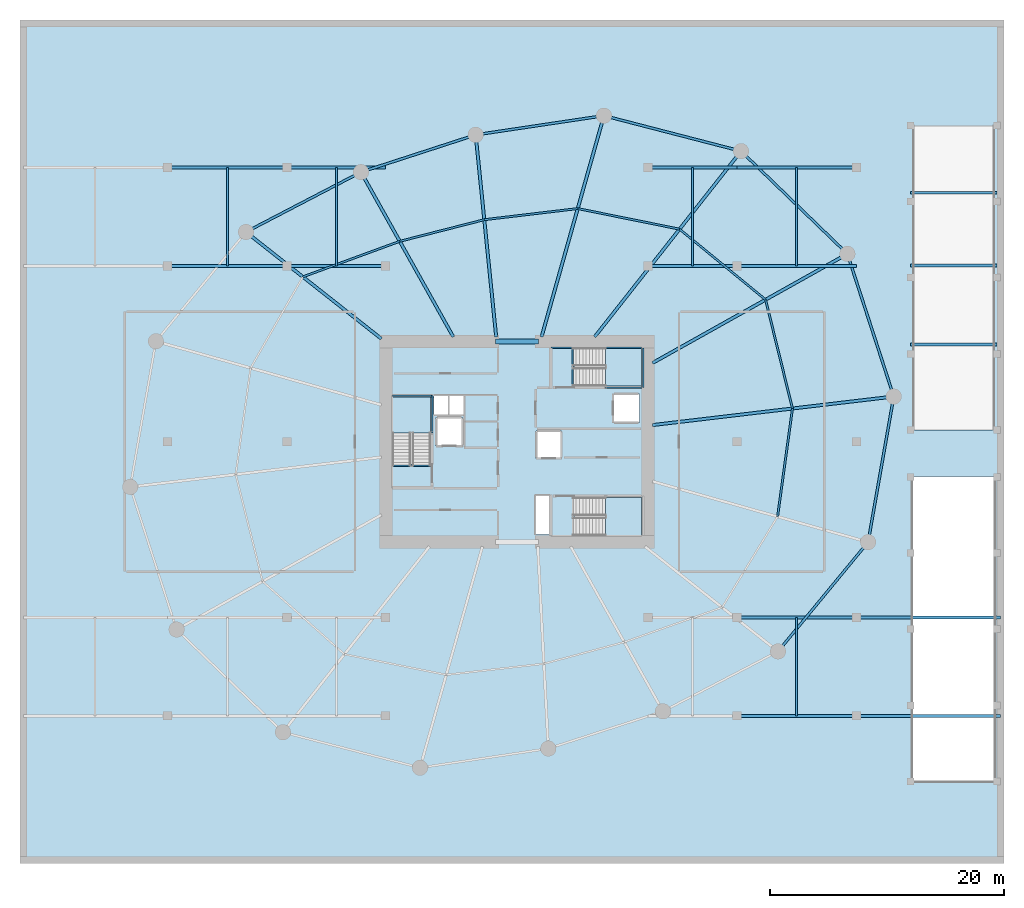
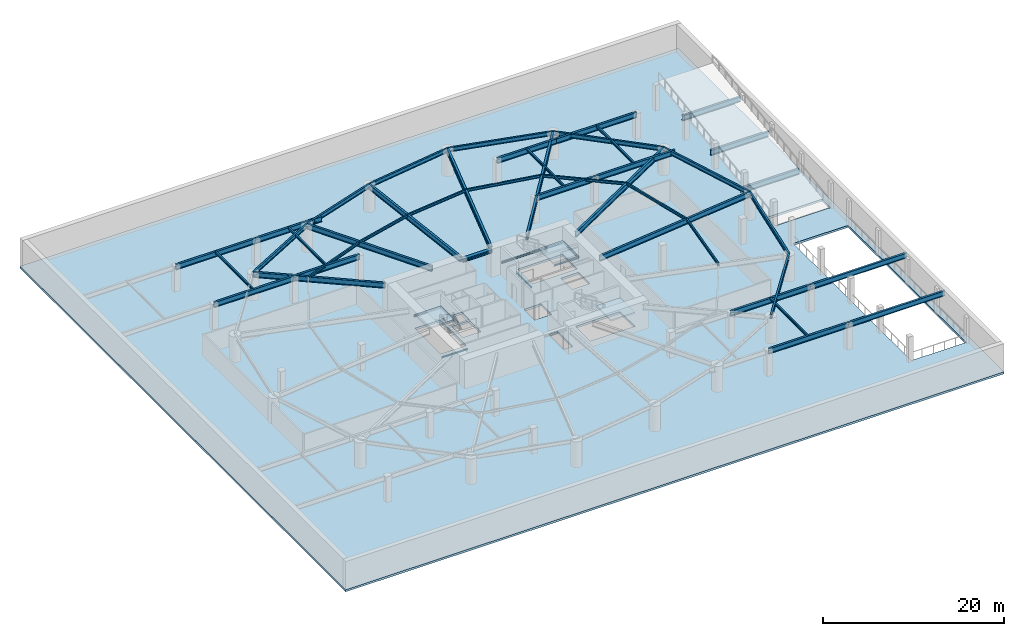
# One storey, part 6 of 13: 50 beams, 4 slabs, 3 elements without a shape of their own.
"""IFC4 building model written with IfcOpenShell, lengths in metres."""

from ifc_helpers import new_model, si_unit, direction, frame, origin, origin_2d, place, context, subcontext, project, spatial, polyline, i_section, outline, extrude, material, layer, layer_set, material_profile, profile_set, type_object, element, aggregate, save


model = new_model("IFC4")

# Units and contexts
model_context = context("Model", 3, precision=1e-05, world=origin(), true_north=direction((0.0, 1.0)))
body_context = subcontext(model_context, "Body", "Model", "MODEL_VIEW")
ifc_project = project(units=[si_unit("LENGTHUNIT", "METRE"), si_unit("AREAUNIT", "SQUARE_METRE"), si_unit("VOLUMEUNIT", "CUBIC_METRE"), si_unit("PLANEANGLEUNIT", "RADIAN"), si_unit("MASSUNIT", "GRAM", prefix="KILO")], contexts=[model_context])

# Site, building, storey
site_placement = place(None, origin())
site = spatial("IfcSite", under=ifc_project, at=site_placement, CompositionType="ELEMENT")
building_placement = place(site_placement, origin())
building = spatial("IfcBuilding", under=site, at=building_placement, Name="Kazma Halo Residences", CompositionType="ELEMENT")
storey_placement = place(building_placement, frame((0.0, 0.0, -3.800048828125)))
storey = spatial("IfcBuildingStorey", under=building, at=storey_placement, Name="B01", CompositionType="ELEMENT", Elevation=-3.800048828125)

# Beams
ifc_material_1 = material(Name="Steel S355", Category="steel")
ifc_material_profile_1 = material_profile(ifc_material_1, i_section(OverallWidth=0.25390625, OverallDepth=0.68408203125, WebThickness=0.012451171875, FlangeThickness=0.01904296875, FilletRadius=0.01806640625, at=origin_2d()), Name="W690x140")
ifc_profile_set_1 = profile_set([ifc_material_profile_1], Name="Steel S355")
beam_type_1 = type_object("IfcBeamType", Name="BM-BSMT-W690", PredefinedType="BEAM", material=ifc_profile_set_1)
beam_1_placement = place(storey_placement, frame((67.199951171875, 18.60009765625, 3.137939453125), z_axis=(1.0, 0.0, 0.0), x_axis=(0.0, 1.0, 0.0)))
element("IfcBeam", 1, at=beam_1_placement, inside=storey, type_object=beam_type_1, Name="B01 primary girder Y=18.6 bay 5", PredefinedType="BEAM", context=body_context, shape_type="SweptSolid", body=[
    extrude(i_section(OverallWidth=0.25390625, OverallDepth=0.68408203125, WebThickness=0.012451171875, FlangeThickness=0.01904296875, FilletRadius=0.01806640625, at=origin_2d()), origin(), (0.0, 0.0, 1.0), 10.199951171875),
])
beam_2_placement = place(storey_placement, frame((77.39990234375, 18.60009765625, 3.137939453125), z_axis=(1.0, 0.0, 0.0), x_axis=(0.0, 1.0, 0.0)))
element("IfcBeam", 2, at=beam_2_placement, inside=storey, type_object=beam_type_1, Name="B01 primary girder Y=18.6 bay 6", PredefinedType="BEAM", context=body_context, shape_type="SweptSolid", body=[
    extrude(i_section(OverallWidth=0.25390625, OverallDepth=0.68408203125, WebThickness=0.012451171875, FlangeThickness=0.01904296875, FilletRadius=0.01806640625, at=origin_2d()), origin(), (0.0, 0.0, 1.0), 12.300048828125),
])
beam_3_placement = place(storey_placement, frame((67.199951171875, 27.0, 3.137939453125), z_axis=(1.0, 0.0, 0.0), x_axis=(0.0, 1.0, 0.0)))
element("IfcBeam", 3, at=beam_3_placement, inside=storey, type_object=beam_type_1, Name="B01 primary girder Y=27.0 bay 5", PredefinedType="BEAM", context=body_context, shape_type="SweptSolid", body=[
    extrude(i_section(OverallWidth=0.25390625, OverallDepth=0.68408203125, WebThickness=0.012451171875, FlangeThickness=0.01904296875, FilletRadius=0.01806640625, at=origin_2d()), origin(), (0.0, 0.0, 1.0), 10.199951171875),
])
beam_4_placement = place(storey_placement, frame((77.39990234375, 27.0, 3.137939453125), z_axis=(1.0, 0.0, 0.0), x_axis=(0.0, 1.0, 0.0)))
element("IfcBeam", 4, at=beam_4_placement, inside=storey, type_object=beam_type_1, Name="B01 primary girder Y=27.0 bay 6", PredefinedType="BEAM", context=body_context, shape_type="SweptSolid", body=[
    extrude(i_section(OverallWidth=0.25390625, OverallDepth=0.68408203125, WebThickness=0.012451171875, FlangeThickness=0.01904296875, FilletRadius=0.01806640625, at=origin_2d()), origin(), (0.0, 0.0, 1.0), 12.300048828125),
])
beam_5_placement = place(storey_placement, frame((18.60009765625, 57.0, 3.137939453125), z_axis=(1.0, 0.0, 0.0), x_axis=(0.0, 1.0, 0.0)))
element("IfcBeam", 5, at=beam_5_placement, inside=storey, type_object=beam_type_1, Name="B01 primary girder Y=57.0 bay 2", PredefinedType="BEAM", context=body_context, shape_type="SweptSolid", body=[
    extrude(i_section(OverallWidth=0.25390625, OverallDepth=0.68408203125, WebThickness=0.012451171875, FlangeThickness=0.01904296875, FilletRadius=0.01806640625, at=origin_2d()), origin(), (0.0, 0.0, 1.0), 10.199951171875),
])
beam_6_placement = place(storey_placement, frame((28.800048828125, 57.0, 3.137939453125), z_axis=(1.0, 0.0, 0.0), x_axis=(0.0, 1.0, 0.0)))
element("IfcBeam", 6, at=beam_6_placement, inside=storey, type_object=beam_type_1, Name="B01 primary girder Y=57.0 bay 3", PredefinedType="BEAM", context=body_context, shape_type="SweptSolid", body=[
    extrude(i_section(OverallWidth=0.25390625, OverallDepth=0.68408203125, WebThickness=0.012451171875, FlangeThickness=0.01904296875, FilletRadius=0.01806640625, at=origin_2d()), origin(), (0.0, 0.0, 1.0), 8.39990234375),
])
beam_7_placement = place(storey_placement, frame((59.60009765625, 57.0, 3.137939453125), z_axis=(1.0, 0.0, 0.0), x_axis=(0.0, 1.0, 0.0)))
element("IfcBeam", 7, at=beam_7_placement, inside=storey, type_object=beam_type_1, Name="B01 primary girder Y=57.0 bay 4", PredefinedType="BEAM", context=body_context, shape_type="SweptSolid", body=[
    extrude(i_section(OverallWidth=0.25390625, OverallDepth=0.68408203125, WebThickness=0.012451171875, FlangeThickness=0.01904296875, FilletRadius=0.01806640625, at=origin_2d()), origin(), (0.0, 0.0, 1.0), 7.599853515625),
])
for number, where, z_axis, x_axis, name in (
    (8, (67.199951171875, 57.0, 3.137939453125), (1.0, 0.0, 0.0), (0.0, 1.0, 0.0), "B01 primary girder Y=57.0 bay 5"),
    (9, (18.60009765625, 65.39990234375, 3.137939453125), (1.0, 0.0, 0.0), (0.0, 1.0, 0.0), "B01 primary girder Y=65.4 bay 2"),
):
    element("IfcBeam", number, at=place(storey_placement, frame(where, z_axis=z_axis, x_axis=x_axis)), inside=storey, type_object=beam_type_1, Name=name, PredefinedType="BEAM", context=body_context, shape_type="SweptSolid", body=[
        extrude(i_section(OverallWidth=0.25390625, OverallDepth=0.68408203125, WebThickness=0.012451171875, FlangeThickness=0.01904296875, FilletRadius=0.01806640625, at=origin_2d()), origin(), (0.0, 0.0, 1.0), 10.199951171875),
    ])
beam_8_placement = place(storey_placement, frame((28.800048828125, 65.39990234375, 3.137939453125), z_axis=(1.0, 0.0, 0.0), x_axis=(0.0, 1.0, 0.0)))
element("IfcBeam", 10, at=beam_8_placement, inside=storey, type_object=beam_type_1, Name="B01 primary girder Y=65.4 bay 3", PredefinedType="BEAM", context=body_context, shape_type="SweptSolid", body=[
    extrude(i_section(OverallWidth=0.25390625, OverallDepth=0.68408203125, WebThickness=0.012451171875, FlangeThickness=0.01904296875, FilletRadius=0.01806640625, at=origin_2d()), origin(), (0.0, 0.0, 1.0), 8.39990234375),
])
beam_9_placement = place(storey_placement, frame((59.60009765625, 65.39990234375, 3.137939453125), z_axis=(1.0, 0.0, 0.0), x_axis=(0.0, 1.0, 0.0)))
element("IfcBeam", 11, at=beam_9_placement, inside=storey, type_object=beam_type_1, Name="B01 primary girder Y=65.4 bay 4", PredefinedType="BEAM", context=body_context, shape_type="SweptSolid", body=[
    extrude(i_section(OverallWidth=0.25390625, OverallDepth=0.68408203125, WebThickness=0.012451171875, FlangeThickness=0.01904296875, FilletRadius=0.01806640625, at=origin_2d()), origin(), (0.0, 0.0, 1.0), 7.599853515625),
])
beam_10_placement = place(storey_placement, frame((67.199951171875, 65.39990234375, 3.137939453125), z_axis=(1.0, 0.0, 0.0), x_axis=(0.0, 1.0, 0.0)))
element("IfcBeam", 12, at=beam_10_placement, inside=storey, type_object=beam_type_1, Name="B01 primary girder Y=65.4 bay 5", PredefinedType="BEAM", context=body_context, shape_type="SweptSolid", body=[
    extrude(i_section(OverallWidth=0.25390625, OverallDepth=0.68408203125, WebThickness=0.012451171875, FlangeThickness=0.01904296875, FilletRadius=0.01806640625, at=origin_2d()), origin(), (0.0, 0.0, 1.0), 10.199951171875),
])
for number, where, z_axis, x_axis, name in (
    (13, (82.0, 50.302001953125, 0.43896484375), (1.0, 0.0, 0.0), (0.0, 1.0, 0.0), "B01 vehicle ramp cross beam 1"),
    (14, (82.0, 57.035888671875, 1.427001953125), (1.0, 0.0, 0.0), (0.0, 1.0, 0.0), "B01 vehicle ramp cross beam 2"),
    (15, (82.0, 63.251953125, 2.339111328125), (1.0, 0.0, 0.0), (0.0, 1.0, 0.0), "B01 vehicle ramp cross beam 3"),
):
    element("IfcBeam", number, at=place(storey_placement, frame(where, z_axis=z_axis, x_axis=x_axis)), inside=storey, type_object=beam_type_1, Name=name, PredefinedType="BEAM", context=body_context, shape_type="SweptSolid", body=[
        extrude(i_section(OverallWidth=0.25390625, OverallDepth=0.68408203125, WebThickness=0.012451171875, FlangeThickness=0.01904296875, FilletRadius=0.01806640625, at=origin_2d()), origin(), (0.0, 0.0, 1.0), 7.39990234375),
    ])
beam_11_placement = place(storey_placement, frame((60.0, 48.72021484375, 3.137939453125), z_axis=(0.872493349369, 0.488625987139, 0.0), x_axis=(-0.488625987139, 0.872493349369, 0.0)))
element("IfcBeam", 16, at=beam_11_placement, inside=storey, type_object=beam_type_1, Name="B01 radial floor beam 01", PredefinedType="BEAM", context=body_context, shape_type="SweptSolid", body=[
    extrude(i_section(OverallWidth=0.25390625, OverallDepth=0.68408203125, WebThickness=0.012451171875, FlangeThickness=0.01904296875, FilletRadius=0.01806640625, at=origin_2d()), origin(), (0.0, 0.0, 1.0), 19.0634765625),
])
beam_12_placement = place(storey_placement, frame((55.0556640625, 50.949951171875, 3.137939453125), z_axis=(0.619089277374, 0.785320613915, 0.0), x_axis=(-0.785320613915, 0.619089277374, 0.0)))
element("IfcBeam", 17, at=beam_12_placement, inside=storey, type_object=beam_type_1, Name="B01 radial floor beam 02", PredefinedType="BEAM", context=body_context, shape_type="SweptSolid", body=[
    extrude(i_section(OverallWidth=0.25390625, OverallDepth=0.68408203125, WebThickness=0.012451171875, FlangeThickness=0.01904296875, FilletRadius=0.01806640625, at=origin_2d()), origin(), (0.0, 0.0, 1.0), 20.18701171875),
])
beam_13_placement = place(storey_placement, frame((50.524169921875, 50.949951171875, 3.137939453125), z_axis=(0.271433858007, 0.962457095526, 0.0), x_axis=(-0.962457095526, 0.271433858007, 0.0)))
element("IfcBeam", 18, at=beam_13_placement, inside=storey, type_object=beam_type_1, Name="B01 radial floor beam 03", PredefinedType="BEAM", context=body_context, shape_type="SweptSolid", body=[
    extrude(i_section(OverallWidth=0.25390625, OverallDepth=0.68408203125, WebThickness=0.012451171875, FlangeThickness=0.01904296875, FilletRadius=0.01806640625, at=origin_2d()), origin(), (0.0, 0.0, 1.0), 19.617919921875),
])
beam_14_placement = place(storey_placement, frame((46.64990234375, 50.949951171875, 3.137939453125), z_axis=(-0.100981723867, 0.994888280886, 0.0), x_axis=(-0.994888280886, -0.100981723867, 0.0)))
element("IfcBeam", 19, at=beam_14_placement, inside=storey, type_object=beam_type_1, Name="B01 radial floor beam 04", PredefinedType="BEAM", context=body_context, shape_type="SweptSolid", body=[
    extrude(i_section(OverallWidth=0.25390625, OverallDepth=0.68408203125, WebThickness=0.012451171875, FlangeThickness=0.01904296875, FilletRadius=0.01806640625, at=origin_2d()), origin(), (0.0, 0.0, 1.0), 17.334716796875),
])
beam_15_placement = place(storey_placement, frame((42.98779296875, 50.949951171875, 3.137939453125), z_axis=(-0.488623198121, 0.872494911308, 0.0), x_axis=(-0.872494911308, -0.488623198121, 0.0)))
element("IfcBeam", 20, at=beam_15_placement, inside=storey, type_object=beam_type_1, Name="B01 radial floor beam 05", PredefinedType="BEAM", context=body_context, shape_type="SweptSolid", body=[
    extrude(i_section(OverallWidth=0.25390625, OverallDepth=0.68408203125, WebThickness=0.012451171875, FlangeThickness=0.01904296875, FilletRadius=0.01806640625, at=origin_2d()), origin(), (0.0, 0.0, 1.0), 16.12109375),
])
beam_16_placement = place(storey_placement, frame((36.85009765625, 50.7900390625, 3.137939453125), z_axis=(-0.785321582594, 0.619088048594, 0.0), x_axis=(-0.619088048594, -0.785321582594, 0.0)))
element("IfcBeam", 21, at=beam_16_placement, inside=storey, type_object=beam_type_1, Name="B01 radial floor beam 06", PredefinedType="BEAM", context=body_context, shape_type="SweptSolid", body=[
    extrude(i_section(OverallWidth=0.25390625, OverallDepth=0.68408203125, WebThickness=0.012451171875, FlangeThickness=0.01904296875, FilletRadius=0.01806640625, at=origin_2d()), origin(), (0.0, 0.0, 1.0), 14.718994140625),
])
beam_17_placement = place(storey_placement, frame((60.0, 43.42041015625, 3.137939453125), z_axis=(0.993069425949, 0.117529210178, 0.0), x_axis=(-0.117529210178, 0.993069425949, 0.0)))
element("IfcBeam", 22, at=beam_17_placement, inside=storey, type_object=beam_type_1, Name="B01 radial floor beam 16", PredefinedType="BEAM", context=body_context, shape_type="SweptSolid", body=[
    extrude(i_section(OverallWidth=0.25390625, OverallDepth=0.68408203125, WebThickness=0.012451171875, FlangeThickness=0.01904296875, FilletRadius=0.01806640625, at=origin_2d()), origin(), (0.0, 0.0, 1.0), 20.7333984375),
])
ifc_material_profile_2 = material_profile(ifc_material_1, i_section(OverallWidth=0.408935546875, OverallDepth=0.425048828125, WebThickness=0.03271484375, FlangeThickness=0.052490234375, FilletRadius=0.02001953125, at=origin_2d()), Name="W360x421")
ifc_profile_set_2 = profile_set([ifc_material_profile_2], Name="Steel S355")
beam_type_2 = type_object("IfcBeamType", Name="BM-CORE-W360H", PredefinedType="BEAM", material=ifc_profile_set_2)
beam_18_placement = place(storey_placement, frame((46.60009765625, 50.550048828125, 3.267578125), z_axis=(1.0, 0.0, 0.0), x_axis=(0.0, 1.0, 0.0)))
element("IfcBeam", 23, at=beam_18_placement, inside=storey, type_object=beam_type_2, Name="B01 core coupling beam N", PredefinedType="BEAM", context=body_context, shape_type="SweptSolid", body=[
    extrude(i_section(OverallWidth=0.408935546875, OverallDepth=0.425048828125, WebThickness=0.03271484375, FlangeThickness=0.052490234375, FilletRadius=0.02001953125, at=origin_2d()), origin(), (0.0, 0.0, 1.0), 3.64990234375),
])
ifc_material_profile_3 = material_profile(ifc_material_1, i_section(OverallWidth=0.1650390625, OverallDepth=0.31005859375, WebThickness=0.005859375, FlangeThickness=0.009765625, FilletRadius=0.011962890625, at=origin_2d()), Name="W310x38.7")
ifc_profile_set_3 = profile_set([ifc_material_profile_3], Name="Steel S355")
beam_type_3 = type_object("IfcBeamType", Name="BM-SEC-W310B", PredefinedType="JOIST", material=ifc_profile_set_3)
for number, where, z_axis, x_axis, name in (
    (24, (23.699951171875, 57.0, 3.324951171875), (0.0, 1.0, 0.0), (-1.0, 0.0, 0.0), "B01 north secondary joist 2"),
    (25, (33.0, 57.0, 3.324951171875), (0.0, 1.0, 0.0), (-1.0, 0.0, 0.0), "B01 north secondary joist 3"),
    (26, (63.39990234375, 57.0, 3.324951171875), (0.0, 1.0, 0.0), (-1.0, 0.0, 0.0), "B01 north secondary joist 4"),
    (27, (72.300048828125, 18.60009765625, 3.324951171875), (0.0, 1.0, 0.0), (-1.0, 0.0, 0.0), "B01 south secondary joist 5"),
    (28, (72.300048828125, 57.0, 3.324951171875), (0.0, 1.0, 0.0), (-1.0, 0.0, 0.0), "B01 north secondary joist 5"),
):
    element("IfcBeam", number, at=place(storey_placement, frame(where, z_axis=z_axis, x_axis=x_axis)), inside=storey, type_object=beam_type_3, Name=name, PredefinedType="JOIST", context=body_context, shape_type="SweptSolid", body=[
        extrude(i_section(OverallWidth=0.1650390625, OverallDepth=0.31005859375, WebThickness=0.005859375, FlangeThickness=0.009765625, FilletRadius=0.011962890625, at=origin_2d()), origin(), (0.0, 0.0, 1.0), 8.39990234375),
    ])
beam_19_placement = place(storey_placement, frame((69.64697265625, 54.122802734375, 3.324951171875), z_axis=(-0.773208794724, 0.634151527446, 0.0), x_axis=(-0.634151527446, -0.773208794724, 0.0)))
element("IfcBeam", 29, at=beam_19_placement, inside=storey, type_object=beam_type_3, Name="B01 circumferential floor joist 01", PredefinedType="JOIST", context=body_context, shape_type="SweptSolid", body=[
    extrude(i_section(OverallWidth=0.1650390625, OverallDepth=0.31005859375, WebThickness=0.005859375, FlangeThickness=0.009765625, FilletRadius=0.011962890625, at=origin_2d()), origin(), (0.0, 0.0, 1.0), 9.49658203125),
])
beam_20_placement = place(storey_placement, frame((62.30419921875, 60.14501953125, 3.324951171875), z_axis=(-0.980192243317, 0.198048393432, 0.0), x_axis=(-0.198048393432, -0.980192243317, 0.0)))
element("IfcBeam", 30, at=beam_20_placement, inside=storey, type_object=beam_type_3, Name="B01 circumferential floor joist 02", PredefinedType="JOIST", context=body_context, shape_type="SweptSolid", body=[
    extrude(i_section(OverallWidth=0.1650390625, OverallDepth=0.31005859375, WebThickness=0.005859375, FlangeThickness=0.009765625, FilletRadius=0.011962890625, at=origin_2d()), origin(), (0.0, 0.0, 1.0), 8.866943359375),
])
beam_21_placement = place(storey_placement, frame((53.61279296875, 61.901123046875, 3.324951171875), z_axis=(-0.993006946192, -0.118055939346, 0.0), x_axis=(0.118055939346, -0.993006946192, 0.0)))
element("IfcBeam", 31, at=beam_21_placement, inside=storey, type_object=beam_type_3, Name="B01 circumferential floor joist 03", PredefinedType="JOIST", context=body_context, shape_type="SweptSolid", body=[
    extrude(i_section(OverallWidth=0.1650390625, OverallDepth=0.31005859375, WebThickness=0.005859375, FlangeThickness=0.009765625, FilletRadius=0.011962890625, at=origin_2d()), origin(), (0.0, 0.0, 1.0), 8.0341796875),
])
beam_22_placement = place(storey_placement, frame((45.634765625, 60.95263671875, 3.324951171875), z_axis=(-0.968838753185, -0.247692289598, 0.0), x_axis=(0.247692289598, -0.968838753185, 0.0)))
element("IfcBeam", 32, at=beam_22_placement, inside=storey, type_object=beam_type_3, Name="B01 circumferential floor joist 04", PredefinedType="JOIST", context=body_context, shape_type="SweptSolid", body=[
    extrude(i_section(OverallWidth=0.1650390625, OverallDepth=0.31005859375, WebThickness=0.005859375, FlangeThickness=0.009765625, FilletRadius=0.011962890625, at=origin_2d()), origin(), (0.0, 0.0, 1.0), 7.44775390625),
])
beam_23_placement = place(storey_placement, frame((38.419189453125, 59.10791015625, 3.324951171875), z_axis=(-0.938908549767, -0.344166725838, 0.0), x_axis=(0.344166725838, -0.938908549767, 0.0)))
element("IfcBeam", 33, at=beam_23_placement, inside=storey, type_object=beam_type_3, Name="B01 circumferential floor joist 05", PredefinedType="JOIST", context=body_context, shape_type="SweptSolid", body=[
    extrude(i_section(OverallWidth=0.1650390625, OverallDepth=0.31005859375, WebThickness=0.005859375, FlangeThickness=0.009765625, FilletRadius=0.011962890625, at=origin_2d()), origin(), (0.0, 0.0, 1.0), 8.811767578125),
])
beam_24_placement = place(storey_placement, frame((70.670654296875, 35.606201171875, 3.324951171875), z_axis=(0.136476861279, 0.990643258865, 0.0), x_axis=(-0.990643258865, 0.136476861279, 0.0)))
element("IfcBeam", 34, at=beam_24_placement, inside=storey, type_object=beam_type_3, Name="B01 circumferential floor joist 15", PredefinedType="JOIST", context=body_context, shape_type="SweptSolid", body=[
    extrude(i_section(OverallWidth=0.1650390625, OverallDepth=0.31005859375, WebThickness=0.005859375, FlangeThickness=0.009765625, FilletRadius=0.011962890625, at=origin_2d()), origin(), (0.0, 0.0, 1.0), 9.314697265625),
])
beam_25_placement = place(storey_placement, frame((71.94189453125, 44.833740234375, 3.324951171875), z_axis=(-0.239845066169, 0.970811178466, 0.0), x_axis=(-0.970811178466, -0.239845066169, 0.0)))
element("IfcBeam", 35, at=beam_25_placement, inside=storey, type_object=beam_type_3, Name="B01 circumferential floor joist 16", PredefinedType="JOIST", context=body_context, shape_type="SweptSolid", body=[
    extrude(i_section(OverallWidth=0.1650390625, OverallDepth=0.31005859375, WebThickness=0.005859375, FlangeThickness=0.009765625, FilletRadius=0.011962890625, at=origin_2d()), origin(), (0.0, 0.0, 1.0), 9.568359375),
])
ifc_material_profile_4 = material_profile(ifc_material_1, i_section(OverallWidth=0.208984375, OverallDepth=0.532958984375, WebThickness=0.01025390625, FlangeThickness=0.015625, FilletRadius=0.01611328125, at=origin_2d()), Name="W530x92")
ifc_profile_set_4 = profile_set([ifc_material_profile_4], Name="Steel S355")
beam_type_4 = type_object("IfcBeamType", Name="BM-SPN-W530", PredefinedType="BEAM", material=ifc_profile_set_4)
beam_26_placement = place(storey_placement, frame((76.6328125, 58.03515625, 3.213623046875), z_axis=(-0.719339467226, 0.694658715407, 0.0), x_axis=(-0.694658715407, -0.719339467226, 0.0)))
element("IfcBeam", 36, at=beam_26_placement, inside=storey, type_object=beam_type_4, Name="B01 perimeter ring beam 01", PredefinedType="BEAM", context=body_context, shape_type="SweptSolid", body=[
    extrude(i_section(OverallWidth=0.208984375, OverallDepth=0.532958984375, WebThickness=0.01025390625, FlangeThickness=0.015625, FilletRadius=0.01611328125, at=origin_2d()), origin(), (0.0, 0.0, 1.0), 12.6220703125),
])
beam_27_placement = place(storey_placement, frame((67.55322265625, 66.80322265625, 3.213623046875), z_axis=(-0.968123781445, 0.250472241578, 0.0), x_axis=(-0.250472241578, -0.968123781445, 0.0)))
element("IfcBeam", 37, at=beam_27_placement, inside=storey, type_object=beam_type_4, Name="B01 perimeter ring beam 02", PredefinedType="BEAM", context=body_context, shape_type="SweptSolid", body=[
    extrude(i_section(OverallWidth=0.208984375, OverallDepth=0.532958984375, WebThickness=0.01025390625, FlangeThickness=0.015625, FilletRadius=0.01611328125, at=origin_2d()), origin(), (0.0, 0.0, 1.0), 12.08935546875),
])
beam_28_placement = place(storey_placement, frame((55.84912109375, 69.831298828125, 3.213623046875), z_axis=(-0.989031581018, -0.14770420356, 0.0), x_axis=(0.14770420356, -0.989031581018, 0.0)))
element("IfcBeam", 38, at=beam_28_placement, inside=storey, type_object=beam_type_4, Name="B01 perimeter ring beam 03", PredefinedType="BEAM", context=body_context, shape_type="SweptSolid", body=[
    extrude(i_section(OverallWidth=0.208984375, OverallDepth=0.532958984375, WebThickness=0.01025390625, FlangeThickness=0.015625, FilletRadius=0.01611328125, at=origin_2d()), origin(), (0.0, 0.0, 1.0), 11.071044921875),
])
beam_29_placement = place(storey_placement, frame((44.8994140625, 68.196044921875, 3.213623046875), z_axis=(-0.951061083857, -0.309002936511, 0.0), x_axis=(0.309002936511, -0.951061083857, 0.0)))
element("IfcBeam", 39, at=beam_29_placement, inside=storey, type_object=beam_type_4, Name="B01 perimeter ring beam 04", PredefinedType="BEAM", context=body_context, shape_type="SweptSolid", body=[
    extrude(i_section(OverallWidth=0.208984375, OverallDepth=0.532958984375, WebThickness=0.01025390625, FlangeThickness=0.015625, FilletRadius=0.01611328125, at=origin_2d()), origin(), (0.0, 0.0, 1.0), 10.29248046875),
])
beam_30_placement = place(storey_placement, frame((35.110595703125, 65.015625, 3.213623046875), z_axis=(-0.886954171981, -0.461857442082, 0.0), x_axis=(0.461857442082, -0.886954171981, 0.0)))
element("IfcBeam", 40, at=beam_30_placement, inside=storey, type_object=beam_type_4, Name="B01 perimeter ring beam 05", PredefinedType="BEAM", context=body_context, shape_type="SweptSolid", body=[
    extrude(i_section(OverallWidth=0.208984375, OverallDepth=0.532958984375, WebThickness=0.01025390625, FlangeThickness=0.015625, FilletRadius=0.01611328125, at=origin_2d()), origin(), (0.0, 0.0, 1.0), 11.071044921875),
])
beam_31_placement = place(storey_placement, frame((70.708984375, 24.09765625, 3.213623046875), z_axis=(0.635989643733, 0.771697591718, 0.0), x_axis=(-0.771697591718, 0.635989643733, 0.0)))
element("IfcBeam", 41, at=beam_31_placement, inside=storey, type_object=beam_type_4, Name="B01 perimeter ring beam 14", PredefinedType="BEAM", context=body_context, shape_type="SweptSolid", body=[
    extrude(i_section(OverallWidth=0.208984375, OverallDepth=0.532958984375, WebThickness=0.01025390625, FlangeThickness=0.015625, FilletRadius=0.01611328125, at=origin_2d()), origin(), (0.0, 0.0, 1.0), 12.08935546875),
])
beam_32_placement = place(storey_placement, frame((78.397705078125, 33.427001953125, 3.213623046875), z_axis=(0.173657334149, 0.984806138434, 0.0), x_axis=(-0.984806138434, 0.173657334149, 0.0)))
element("IfcBeam", 42, at=beam_32_placement, inside=storey, type_object=beam_type_4, Name="B01 perimeter ring beam 15", PredefinedType="BEAM", context=body_context, shape_type="SweptSolid", body=[
    extrude(i_section(OverallWidth=0.208984375, OverallDepth=0.532958984375, WebThickness=0.01025390625, FlangeThickness=0.015625, FilletRadius=0.01611328125, at=origin_2d()), origin(), (0.0, 0.0, 1.0), 12.6220703125),
])
beam_33_placement = place(storey_placement, frame((80.589599609375, 45.857177734375, 3.213623046875), z_axis=(-0.3090114866, 0.951058305862, 0.0), x_axis=(-0.951058305862, -0.3090114866, 0.0)))
element("IfcBeam", 43, at=beam_33_placement, inside=storey, type_object=beam_type_4, Name="B01 perimeter ring beam 16", PredefinedType="BEAM", context=body_context, shape_type="SweptSolid", body=[
    extrude(i_section(OverallWidth=0.208984375, OverallDepth=0.532958984375, WebThickness=0.01025390625, FlangeThickness=0.015625, FilletRadius=0.01611328125, at=origin_2d()), origin(), (0.0, 0.0, 1.0), 12.8046875),
])
ifc_material_profile_5 = material_profile(ifc_material_1, i_section(OverallWidth=0.133056640625, OverallDepth=0.20703125, WebThickness=0.005859375, FlangeThickness=0.00830078125, FilletRadius=0.010009765625, at=origin_2d()), Name="W200x26.6")
ifc_profile_set_5 = profile_set([ifc_material_profile_5], Name="Steel S355")
beam_type_5 = type_object("IfcBeamType", Name="BM-TRIM-W200", PredefinedType="BEAM", material=ifc_profile_set_5)
for number, where, z_axis, x_axis, name in (
    (44, (37.800048828125, 39.949951171875, -0.389892578125), (1.0, 0.0, 0.0), (0.0, 1.0, 0.0), "B01 ST-01 floor landing support beam"),
    (45, (53.199951171875, 46.6201171875, -0.389892578125), (0.0, 1.0, 0.0), (-1.0, 0.0, 0.0), "B01 ST-02 floor landing support beam"),
):
    element("IfcBeam", number, at=place(storey_placement, frame(where, z_axis=z_axis, x_axis=x_axis)), inside=storey, type_object=beam_type_5, Name=name, PredefinedType="BEAM", context=body_context, shape_type="SweptSolid", body=[
        extrude(i_section(OverallWidth=0.133056640625, OverallDepth=0.20703125, WebThickness=0.005859375, FlangeThickness=0.00830078125, FilletRadius=0.010009765625, at=origin_2d()), origin(), (0.0, 0.0, 1.0), 3.3798828125),
    ])
beam_34_placement = place(storey_placement, frame((41.179931640625, 42.75, 1.594970703125), z_axis=(0.0, 1.0, 0.0), x_axis=(-1.0, 0.0, 0.0)))
element("IfcBeam", 46, at=beam_34_placement, inside=storey, type_object=beam_type_5, Name="B01 ST-01 landing east wall ledger", PredefinedType="BEAM", context=body_context, shape_type="SweptSolid", body=[
    extrude(i_section(OverallWidth=0.133056640625, OverallDepth=0.20703125, WebThickness=0.005859375, FlangeThickness=0.00830078125, FilletRadius=0.010009765625, at=origin_2d()), origin(), (0.0, 0.0, 1.0), 3.18994140625),
])
beam_35_placement = place(storey_placement, frame((37.780029296875, 45.93994140625, 1.594970703125), z_axis=(1.0, 0.0, 0.0), x_axis=(0.0, 1.0, 0.0)))
element("IfcBeam", 47, at=beam_35_placement, inside=storey, type_object=beam_type_5, Name="B01 ST-01 landing end wall ledger", PredefinedType="BEAM", context=body_context, shape_type="SweptSolid", body=[
    extrude(i_section(OverallWidth=0.133056640625, OverallDepth=0.20703125, WebThickness=0.005859375, FlangeThickness=0.00830078125, FilletRadius=0.010009765625, at=origin_2d()), origin(), (0.0, 0.0, 1.0), 3.39990234375),
])
beam_36_placement = place(storey_placement, frame((51.31005859375, 50.02001953125, 1.594970703125), z_axis=(1.0, 0.0, 0.0), x_axis=(0.0, 1.0, 0.0)))
element("IfcBeam", 48, at=beam_36_placement, inside=storey, type_object=beam_type_5, Name="B01 ST-02 landing north wall ledger", PredefinedType="BEAM", context=body_context, shape_type="SweptSolid", body=[
    extrude(i_section(OverallWidth=0.133056640625, OverallDepth=0.20703125, WebThickness=0.005859375, FlangeThickness=0.00830078125, FilletRadius=0.010009765625, at=origin_2d()), origin(), (0.0, 0.0, 1.0), 7.760009765625),
])
beam_37_placement = place(storey_placement, frame((56.0, 46.6201171875, 1.594970703125), z_axis=(1.0, 0.0, 0.0), x_axis=(0.0, 1.0, 0.0)))
element("IfcBeam", 49, at=beam_37_placement, inside=storey, type_object=beam_type_5, Name="B01 ST-02 landing south wall ledger", PredefinedType="BEAM", context=body_context, shape_type="SweptSolid", body=[
    extrude(i_section(OverallWidth=0.133056640625, OverallDepth=0.20703125, WebThickness=0.005859375, FlangeThickness=0.00830078125, FilletRadius=0.010009765625, at=origin_2d()), origin(), (0.0, 0.0, 1.0), 3.070068359375),
])
beam_38_placement = place(storey_placement, frame((59.18994140625, 46.6201171875, 1.594970703125), z_axis=(0.0, 1.0, 0.0), x_axis=(-1.0, 0.0, 0.0)))
element("IfcBeam", 50, at=beam_38_placement, inside=storey, type_object=beam_type_5, Name="B01 ST-02 landing end wall ledger", PredefinedType="BEAM", context=body_context, shape_type="SweptSolid", body=[
    extrude(i_section(OverallWidth=0.133056640625, OverallDepth=0.20703125, WebThickness=0.005859375, FlangeThickness=0.00830078125, FilletRadius=0.010009765625, at=origin_2d()), origin(), (0.0, 0.0, 1.0), 3.39990234375),
])

# Slab
ifc_material_2 = material(Name="Concrete C50/60", Category="concrete")
ifc_layer_1 = layer(ifc_material_2, 0.280029296875)
ifc_layer_set_1 = layer_set([ifc_layer_1], Name="Concrete C50/60")
slab_type_1 = type_object("IfcSlabType", Name="SLB-BASE-280", PredefinedType="BASESLAB", material=ifc_layer_set_1)
slab_1_placement = place(storey_placement, frame((0.0, 0.0, -0.280029296875)))
element("IfcSlab", 51, at=slab_1_placement, inside=storey, type_object=slab_type_1, Name="B01 structural floor slab", PredefinedType="BASESLAB", context=body_context, shape_type="SweptSolid", body=[
    extrude(outline(polyline([(6.0, 6.0), (90.0, 6.0), (90.0, 78.0), (6.0, 78.0), (6.0, 6.0)]), holes=[polyline([(37.800048828125, 40.110107421875), (41.050048828125, 40.110107421875), (41.050048828125, 45.800048828125), (37.800048828125, 45.800048828125), (37.800048828125, 40.110107421875)]), polyline([(53.360107421875, 46.75), (59.050048828125, 46.75), (59.050048828125, 50.0), (53.360107421875, 50.0), (53.360107421875, 46.75)]), polyline([(53.360107421875, 34.0), (59.050048828125, 34.0), (59.050048828125, 37.25), (53.360107421875, 37.25), (53.360107421875, 34.0)]), polyline([(41.52001953125, 41.6201171875), (43.780029296875, 41.6201171875), (43.780029296875, 44.080078125), (41.52001953125, 44.080078125), (41.52001953125, 41.6201171875)]), polyline([(56.6201171875, 43.6201171875), (58.8798828125, 43.6201171875), (58.8798828125, 46.080078125), (56.6201171875, 46.080078125), (56.6201171875, 43.6201171875)]), polyline([(50.070068359375, 40.570068359375), (52.22998046875, 40.570068359375), (52.22998046875, 42.929931640625), (50.070068359375, 42.929931640625), (50.070068359375, 40.570068359375)]), polyline([(41.360107421875, 44.340087890625), (42.5400390625, 44.340087890625), (42.5400390625, 45.89990234375), (41.360107421875, 45.89990234375), (41.360107421875, 44.340087890625)]), polyline([(42.659912109375, 44.340087890625), (43.840087890625, 44.340087890625), (43.840087890625, 45.89990234375), (42.659912109375, 45.89990234375), (42.659912109375, 44.340087890625)]), polyline([(50.06005859375, 34.080078125), (51.159912109375, 34.080078125), (51.159912109375, 37.3798828125), (50.06005859375, 37.3798828125), (50.06005859375, 34.080078125)]), polyline([(82.199951171875, 13.0), (89.199951171875, 13.0), (89.199951171875, 39.050048828125), (82.199951171875, 39.050048828125), (82.199951171875, 13.0)]), polyline([(82.199951171875, 43.0), (89.199951171875, 43.0), (89.199951171875, 44.85009765625), (82.199951171875, 44.85009765625), (82.199951171875, 43.0)])]), origin(), (0.0, 0.0, 1.0), 0.280029296875),
])

# Stair, slab
stair_type = type_object("IfcStairType", Name="STR-BSMT", PredefinedType="HALF_TURN_STAIR", material=ifc_material_2)
stair_1_placement = place(storey_placement, origin())
stair_1 = element("IfcStair", 52, at=stair_1_placement, inside=storey, type_object=stair_type, Name="B01 Core exit stair ST-01", PredefinedType="HALF_TURN_STAIR")
ifc_layer_2 = layer(ifc_material_2, 0.199951171875)
ifc_layer_set_2 = layer_set([ifc_layer_2], Name="Concrete C50/60")
slab_type_2 = type_object("IfcSlabType", Name="SLB-STAIR-LND-200", PredefinedType="LANDING", material=ifc_layer_set_2)
slab_2_placement = place(storey_placement, frame((0.0, 0.0, 1.699951171875)))
slab_2 = element("IfcSlab", 53, at=slab_2_placement, type_object=slab_type_2, Name="ST-01 landing 1", PredefinedType="LANDING", context=body_context, shape_type="SweptSolid", body=[
    extrude(outline(polyline([(41.050048828125, 42.75), (41.050048828125, 45.800048828125), (37.800048828125, 45.800048828125), (37.800048828125, 42.75), (41.050048828125, 42.75)])), origin(), (0.0, 0.0, 1.0), 0.2001953125),
])
aggregate(stair_1, [slab_2])

stair_2_placement = place(storey_placement, origin())
stair_2 = element("IfcStair", 54, at=stair_2_placement, inside=storey, type_object=stair_type, Name="B01 Core exit stair ST-02", PredefinedType="HALF_TURN_STAIR")
slab_3_placement = place(storey_placement, frame((0.0, 0.0, 1.699951171875)))
slab_3 = element("IfcSlab", 55, at=slab_3_placement, type_object=slab_type_2, Name="ST-02 landing 1", PredefinedType="LANDING", context=body_context, shape_type="SweptSolid", body=[
    extrude(outline(polyline([(56.0, 46.75), (59.050048828125, 46.75), (59.050048828125, 50.0), (56.0, 50.0), (56.0, 46.75)])), origin(), (0.0, 0.0, 1.0), 0.2001953125),
])
aggregate(stair_2, [slab_3])

stair_3_placement = place(storey_placement, origin())
stair_3 = element("IfcStair", 56, at=stair_3_placement, inside=storey, type_object=stair_type, Name="B01 Core exit stair ST-03", PredefinedType="HALF_TURN_STAIR")
slab_4_placement = place(storey_placement, frame((0.0, 0.0, 1.699951171875)))
slab_4 = element("IfcSlab", 57, at=slab_4_placement, type_object=slab_type_2, Name="ST-03 landing 1", PredefinedType="LANDING", context=body_context, shape_type="SweptSolid", body=[
    extrude(outline(polyline([(56.0, 34.0), (59.050048828125, 34.0), (59.050048828125, 37.25), (56.0, 37.25), (56.0, 34.0)])), origin(), (0.0, 0.0, 1.0), 0.2001953125),
])
aggregate(stair_3, [slab_4])

save(model, "model.ifc")
